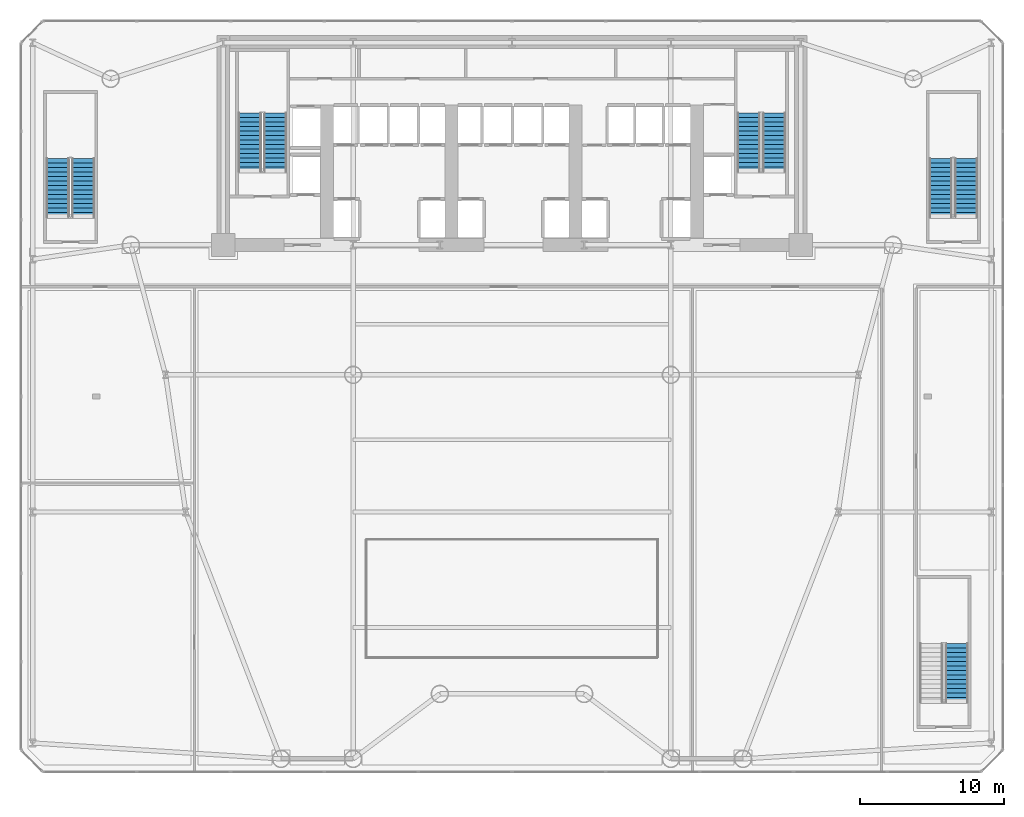
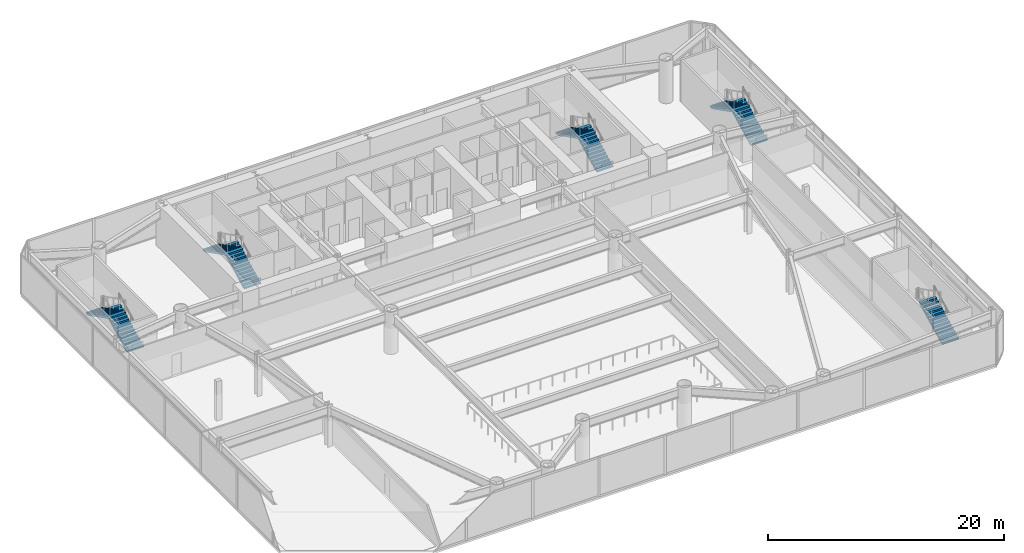
# One storey, part 17 of 24: 9 stair flights, 5 elements without a shape of their own.
"""IFC4 building model written with IfcOpenShell, lengths in metres."""

from ifc_helpers import new_model, si_unit, direction, frame, origin, place, context, subcontext, project, spatial, polyline, outline, extrude, material, type_object, element, aggregate, save


model = new_model("IFC4")

# Units and contexts
model_context = context("Model", 3, precision=1e-05, world=origin(), true_north=direction((0.0, 1.0)))
body_context = subcontext(model_context, "Body", "Model", "MODEL_VIEW")
ifc_project = project(units=[si_unit("LENGTHUNIT", "METRE"), si_unit("AREAUNIT", "SQUARE_METRE"), si_unit("VOLUMEUNIT", "CUBIC_METRE"), si_unit("PLANEANGLEUNIT", "RADIAN"), si_unit("MASSUNIT", "GRAM", prefix="KILO")], contexts=[model_context])

# Site, building, storey
site_placement = place(None, origin())
site = spatial("IfcSite", under=ifc_project, at=site_placement, CompositionType="ELEMENT")
building_placement = place(site_placement, origin())
building = spatial("IfcBuilding", under=site, at=building_placement, Name="Vaeldorn Concourse Tower", CompositionType="ELEMENT")
storey_placement = place(building_placement, frame((0.0, 0.0, 5.60009765625)))
storey = spatial("IfcBuildingStorey", under=building, at=storey_placement, Name="L01", CompositionType="ELEMENT", Elevation=5.60009765625)

# Stair, stair flights
ifc_material = material(Name="Precast concrete C40/50", Category="concrete")
stair_type = type_object("IfcStairType", Name="STR-DOG-28x157", PredefinedType="HALF_TURN_STAIR", material=ifc_material)
stair_1_placement = place(storey_placement, origin())
stair_1 = element("IfcStair", 1, at=stair_1_placement, inside=storey, type_object=stair_type, Name="L01 West Core Exit Stair ST-1", PredefinedType="HALF_TURN_STAIR")
stair_flight_type = type_object("IfcStairFlightType", Name="STF-STR-14x157", PredefinedType="STRAIGHT", material=ifc_material)
stair_flight_1_placement = place(storey_placement, frame((17.60009765625, 41.60009765625, 0.0), z_axis=(0.0, 0.0, 1.0), x_axis=(0.0, 1.0, 0.0)))
stair_flight_1 = element("IfcStairFlight", 2, at=stair_flight_1_placement, type_object=stair_flight_type, Name="ST-1 flight 1", NumberOfRisers=14, NumberOfTreads=13, PredefinedType="STRAIGHT", RiserHeight=0.157142857, TreadLength=0.31, context=body_context, shape_type="SweptSolid", body=[
    extrude(outline(polyline([(0.0, 0.0), (0.0, 0.1572265625), (0.31005859375, 0.1572265625), (0.31005859375, 0.314208984375), (0.6201171875, 0.314208984375), (0.6201171875, 0.471435546875), (0.929931640625, 0.471435546875), (0.929931640625, 0.628662109375), (1.239990234375, 0.628662109375), (1.239990234375, 0.78564453125), (1.550048828125, 0.78564453125), (1.550048828125, 0.94287109375), (1.860107421875, 0.94287109375), (1.860107421875, 1.10009765625), (2.169921875, 1.10009765625), (2.169921875, 1.257080078125), (2.47998046875, 1.257080078125), (2.47998046875, 1.414306640625), (2.7900390625, 1.414306640625), (2.7900390625, 1.571533203125), (3.10009765625, 1.571533203125), (3.10009765625, 1.728515625), (3.409912109375, 1.728515625), (3.409912109375, 1.8857421875), (3.719970703125, 1.8857421875), (3.719970703125, 2.04296875), (4.030029296875, 2.04296875), (4.030029296875, 2.199951171875), (4.030029296875, 1.874755859375), (0.33154296875, 0.0), (0.0, 0.0)])), frame((0.0, 0.800048828125, 0.0), z_axis=(0.0, -1.0, 0.0), x_axis=(1.0, 0.0, 0.0)), (0.0, 0.0, 1.0), 1.60009765625),
])
stair_flight_2_placement = place(storey_placement, frame((15.85009765625, 45.6298828125, 2.199951171875), z_axis=(0.0, 0.0, 1.0), x_axis=(0.0, -1.0, 0.0)))
stair_flight_2 = element("IfcStairFlight", 3, at=stair_flight_2_placement, type_object=stair_flight_type, Name="ST-1 flight 2", NumberOfRisers=14, NumberOfTreads=13, PredefinedType="STRAIGHT", RiserHeight=0.157142857, TreadLength=0.31, context=body_context, shape_type="SweptSolid", body=[
    extrude(outline(polyline([(0.0, 0.0), (0.0, 0.1572265625), (0.31005859375, 0.1572265625), (0.31005859375, 0.314208984375), (0.6201171875, 0.314208984375), (0.6201171875, 0.471435546875), (0.929931640625, 0.471435546875), (0.929931640625, 0.628662109375), (1.239990234375, 0.628662109375), (1.239990234375, 0.78564453125), (1.550048828125, 0.78564453125), (1.550048828125, 0.94287109375), (1.860107421875, 0.94287109375), (1.860107421875, 1.10009765625), (2.169921875, 1.10009765625), (2.169921875, 1.257080078125), (2.47998046875, 1.257080078125), (2.47998046875, 1.414306640625), (2.7900390625, 1.414306640625), (2.7900390625, 1.571533203125), (3.10009765625, 1.571533203125), (3.10009765625, 1.728515625), (3.409912109375, 1.728515625), (3.409912109375, 1.8857421875), (3.719970703125, 1.8857421875), (3.719970703125, 2.04296875), (4.030029296875, 2.04296875), (4.030029296875, 2.199951171875), (4.030029296875, 1.874755859375), (0.33154296875, 0.0), (0.0, 0.0)])), frame((0.0, 0.800048828125, 0.0), z_axis=(0.0, -1.0, 0.0), x_axis=(1.0, 0.0, 0.0)), (0.0, 0.0, 1.0), 1.60009765625),
])
aggregate(stair_1, [stair_flight_1, stair_flight_2])

stair_2_placement = place(storey_placement, origin())
stair_2 = element("IfcStair", 4, at=stair_2_placement, inside=storey, type_object=stair_type, Name="L01 East Core Exit Stair ST-2", PredefinedType="HALF_TURN_STAIR")
stair_flight_3_placement = place(storey_placement, frame((52.14990234375, 41.60009765625, 0.0), z_axis=(0.0, 0.0, 1.0), x_axis=(0.0, 1.0, 0.0)))
stair_flight_3 = element("IfcStairFlight", 5, at=stair_flight_3_placement, type_object=stair_flight_type, Name="ST-2 flight 1", NumberOfRisers=14, NumberOfTreads=13, PredefinedType="STRAIGHT", RiserHeight=0.157142857, TreadLength=0.31, context=body_context, shape_type="SweptSolid", body=[
    extrude(outline(polyline([(0.0, 0.0), (0.0, 0.1572265625), (0.31005859375, 0.1572265625), (0.31005859375, 0.314208984375), (0.6201171875, 0.314208984375), (0.6201171875, 0.471435546875), (0.929931640625, 0.471435546875), (0.929931640625, 0.628662109375), (1.239990234375, 0.628662109375), (1.239990234375, 0.78564453125), (1.550048828125, 0.78564453125), (1.550048828125, 0.94287109375), (1.860107421875, 0.94287109375), (1.860107421875, 1.10009765625), (2.169921875, 1.10009765625), (2.169921875, 1.257080078125), (2.47998046875, 1.257080078125), (2.47998046875, 1.414306640625), (2.7900390625, 1.414306640625), (2.7900390625, 1.571533203125), (3.10009765625, 1.571533203125), (3.10009765625, 1.728515625), (3.409912109375, 1.728515625), (3.409912109375, 1.8857421875), (3.719970703125, 1.8857421875), (3.719970703125, 2.04296875), (4.030029296875, 2.04296875), (4.030029296875, 2.199951171875), (4.030029296875, 1.874755859375), (0.33154296875, 0.0), (0.0, 0.0)])), frame((0.0, 0.800048828125, 0.0), z_axis=(0.0, -1.0, 0.0), x_axis=(1.0, 0.0, 0.0)), (0.0, 0.0, 1.0), 1.60009765625),
])
stair_flight_4_placement = place(storey_placement, frame((50.39990234375, 45.6298828125, 2.199951171875), z_axis=(0.0, 0.0, 1.0), x_axis=(0.0, -1.0, 0.0)))
stair_flight_4 = element("IfcStairFlight", 6, at=stair_flight_4_placement, type_object=stair_flight_type, Name="ST-2 flight 2", NumberOfRisers=14, NumberOfTreads=13, PredefinedType="STRAIGHT", RiserHeight=0.157142857, TreadLength=0.31, context=body_context, shape_type="SweptSolid", body=[
    extrude(outline(polyline([(0.0, 0.0), (0.0, 0.1572265625), (0.31005859375, 0.1572265625), (0.31005859375, 0.314208984375), (0.6201171875, 0.314208984375), (0.6201171875, 0.471435546875), (0.929931640625, 0.471435546875), (0.929931640625, 0.628662109375), (1.239990234375, 0.628662109375), (1.239990234375, 0.78564453125), (1.550048828125, 0.78564453125), (1.550048828125, 0.94287109375), (1.860107421875, 0.94287109375), (1.860107421875, 1.10009765625), (2.169921875, 1.10009765625), (2.169921875, 1.257080078125), (2.47998046875, 1.257080078125), (2.47998046875, 1.414306640625), (2.7900390625, 1.414306640625), (2.7900390625, 1.571533203125), (3.10009765625, 1.571533203125), (3.10009765625, 1.728515625), (3.409912109375, 1.728515625), (3.409912109375, 1.8857421875), (3.719970703125, 1.8857421875), (3.719970703125, 2.04296875), (4.030029296875, 2.04296875), (4.030029296875, 2.199951171875), (4.030029296875, 1.874755859375), (0.33154296875, 0.0), (0.0, 0.0)])), frame((0.0, 0.800048828125, 0.0), z_axis=(0.0, -1.0, 0.0), x_axis=(1.0, 0.0, 0.0)), (0.0, 0.0, 1.0), 1.60009765625),
])
aggregate(stair_2, [stair_flight_3, stair_flight_4])

stair_3_placement = place(storey_placement, origin())
stair_3 = element("IfcStair", 7, at=stair_3_placement, inside=storey, type_object=stair_type, Name="L01 Station West Exit Stair ST-3", PredefinedType="HALF_TURN_STAIR")
stair_flight_5_placement = place(storey_placement, frame((4.300048828125, 38.449951171875, 0.0), z_axis=(0.0, 0.0, 1.0), x_axis=(0.0, 1.0, 0.0)))
stair_flight_5 = element("IfcStairFlight", 8, at=stair_flight_5_placement, type_object=stair_flight_type, Name="ST-3 flight 1", NumberOfRisers=14, NumberOfTreads=13, PredefinedType="STRAIGHT", RiserHeight=0.157142857, TreadLength=0.31, context=body_context, shape_type="SweptSolid", body=[
    extrude(outline(polyline([(0.0, 0.0), (0.0, 0.1572265625), (0.31005859375, 0.1572265625), (0.31005859375, 0.314208984375), (0.6201171875, 0.314208984375), (0.6201171875, 0.471435546875), (0.929931640625, 0.471435546875), (0.929931640625, 0.628662109375), (1.239990234375, 0.628662109375), (1.239990234375, 0.78564453125), (1.550048828125, 0.78564453125), (1.550048828125, 0.94287109375), (1.860107421875, 0.94287109375), (1.860107421875, 1.10009765625), (2.169921875, 1.10009765625), (2.169921875, 1.257080078125), (2.47998046875, 1.257080078125), (2.47998046875, 1.414306640625), (2.7900390625, 1.414306640625), (2.7900390625, 1.571533203125), (3.10009765625, 1.571533203125), (3.10009765625, 1.728515625), (3.409912109375, 1.728515625), (3.409912109375, 1.8857421875), (3.719970703125, 1.8857421875), (3.719970703125, 2.04296875), (4.030029296875, 2.04296875), (4.030029296875, 2.199951171875), (4.030029296875, 1.874755859375), (0.33154296875, 0.0), (0.0, 0.0)])), frame((0.0, 0.800048828125, 0.0), z_axis=(0.0, -1.0, 0.0), x_axis=(1.0, 0.0, 0.0)), (0.0, 0.0, 1.0), 1.60009765625),
])
stair_flight_6_placement = place(storey_placement, frame((2.550048828125, 42.47998046875, 2.199951171875), z_axis=(0.0, 0.0, 1.0), x_axis=(0.0, -1.0, 0.0)))
stair_flight_6 = element("IfcStairFlight", 9, at=stair_flight_6_placement, type_object=stair_flight_type, Name="ST-3 flight 2", NumberOfRisers=14, NumberOfTreads=13, PredefinedType="STRAIGHT", RiserHeight=0.157142857, TreadLength=0.31, context=body_context, shape_type="SweptSolid", body=[
    extrude(outline(polyline([(0.0, 0.0), (0.0, 0.1572265625), (0.31005859375, 0.1572265625), (0.31005859375, 0.314208984375), (0.6201171875, 0.314208984375), (0.6201171875, 0.471435546875), (0.929931640625, 0.471435546875), (0.929931640625, 0.628662109375), (1.239990234375, 0.628662109375), (1.239990234375, 0.78564453125), (1.550048828125, 0.78564453125), (1.550048828125, 0.94287109375), (1.860107421875, 0.94287109375), (1.860107421875, 1.10009765625), (2.169921875, 1.10009765625), (2.169921875, 1.257080078125), (2.47998046875, 1.257080078125), (2.47998046875, 1.414306640625), (2.7900390625, 1.414306640625), (2.7900390625, 1.571533203125), (3.10009765625, 1.571533203125), (3.10009765625, 1.728515625), (3.409912109375, 1.728515625), (3.409912109375, 1.8857421875), (3.719970703125, 1.8857421875), (3.719970703125, 2.04296875), (4.030029296875, 2.04296875), (4.030029296875, 2.199951171875), (4.030029296875, 1.874755859375), (0.33154296875, 0.0), (0.0, 0.0)])), frame((0.0, 0.800048828125, 0.0), z_axis=(0.0, -1.0, 0.0), x_axis=(1.0, 0.0, 0.0)), (0.0, 0.0, 1.0), 1.60009765625),
])
aggregate(stair_3, [stair_flight_5, stair_flight_6])

stair_4_placement = place(storey_placement, origin())
stair_4 = element("IfcStair", 10, at=stair_4_placement, inside=storey, type_object=stair_type, Name="L01 Station East Exit Stair ST-4", PredefinedType="HALF_TURN_STAIR")
stair_flight_7_placement = place(storey_placement, frame((65.449951171875, 38.449951171875, 0.0), z_axis=(0.0, 0.0, 1.0), x_axis=(0.0, 1.0, 0.0)))
stair_flight_7 = element("IfcStairFlight", 11, at=stair_flight_7_placement, type_object=stair_flight_type, Name="ST-4 flight 1", NumberOfRisers=14, NumberOfTreads=13, PredefinedType="STRAIGHT", RiserHeight=0.157142857, TreadLength=0.31, context=body_context, shape_type="SweptSolid", body=[
    extrude(outline(polyline([(0.0, 0.0), (0.0, 0.1572265625), (0.31005859375, 0.1572265625), (0.31005859375, 0.314208984375), (0.6201171875, 0.314208984375), (0.6201171875, 0.471435546875), (0.929931640625, 0.471435546875), (0.929931640625, 0.628662109375), (1.239990234375, 0.628662109375), (1.239990234375, 0.78564453125), (1.550048828125, 0.78564453125), (1.550048828125, 0.94287109375), (1.860107421875, 0.94287109375), (1.860107421875, 1.10009765625), (2.169921875, 1.10009765625), (2.169921875, 1.257080078125), (2.47998046875, 1.257080078125), (2.47998046875, 1.414306640625), (2.7900390625, 1.414306640625), (2.7900390625, 1.571533203125), (3.10009765625, 1.571533203125), (3.10009765625, 1.728515625), (3.409912109375, 1.728515625), (3.409912109375, 1.8857421875), (3.719970703125, 1.8857421875), (3.719970703125, 2.04296875), (4.030029296875, 2.04296875), (4.030029296875, 2.199951171875), (4.030029296875, 1.874755859375), (0.33154296875, 0.0), (0.0, 0.0)])), frame((0.0, 0.800048828125, 0.0), z_axis=(0.0, -1.0, 0.0), x_axis=(1.0, 0.0, 0.0)), (0.0, 0.0, 1.0), 1.60009765625),
])
stair_flight_8_placement = place(storey_placement, frame((63.699951171875, 42.47998046875, 2.199951171875), z_axis=(0.0, 0.0, 1.0), x_axis=(0.0, -1.0, 0.0)))
stair_flight_8 = element("IfcStairFlight", 12, at=stair_flight_8_placement, type_object=stair_flight_type, Name="ST-4 flight 2", NumberOfRisers=14, NumberOfTreads=13, PredefinedType="STRAIGHT", RiserHeight=0.157142857, TreadLength=0.31, context=body_context, shape_type="SweptSolid", body=[
    extrude(outline(polyline([(0.0, 0.0), (0.0, 0.1572265625), (0.31005859375, 0.1572265625), (0.31005859375, 0.314208984375), (0.6201171875, 0.314208984375), (0.6201171875, 0.471435546875), (0.929931640625, 0.471435546875), (0.929931640625, 0.628662109375), (1.239990234375, 0.628662109375), (1.239990234375, 0.78564453125), (1.550048828125, 0.78564453125), (1.550048828125, 0.94287109375), (1.860107421875, 0.94287109375), (1.860107421875, 1.10009765625), (2.169921875, 1.10009765625), (2.169921875, 1.257080078125), (2.47998046875, 1.257080078125), (2.47998046875, 1.414306640625), (2.7900390625, 1.414306640625), (2.7900390625, 1.571533203125), (3.10009765625, 1.571533203125), (3.10009765625, 1.728515625), (3.409912109375, 1.728515625), (3.409912109375, 1.8857421875), (3.719970703125, 1.8857421875), (3.719970703125, 2.04296875), (4.030029296875, 2.04296875), (4.030029296875, 2.199951171875), (4.030029296875, 1.874755859375), (0.33154296875, 0.0), (0.0, 0.0)])), frame((0.0, 0.800048828125, 0.0), z_axis=(0.0, -1.0, 0.0), x_axis=(1.0, 0.0, 0.0)), (0.0, 0.0, 1.0), 1.60009765625),
])
aggregate(stair_4, [stair_flight_7, stair_flight_8])

# Stair, stair flight
stair_5_placement = place(storey_placement, origin())
stair_5 = element("IfcStair", 13, at=stair_5_placement, inside=storey, type_object=stair_type, Name="L01 Podium Auditorium Exit Stair ST-5", PredefinedType="HALF_TURN_STAIR")
stair_flight_9_placement = place(storey_placement, frame((64.800048828125, 4.85009765625, 0.0), z_axis=(0.0, 0.0, 1.0), x_axis=(0.0, 1.0, 0.0)))
stair_flight_9 = element("IfcStairFlight", 14, at=stair_flight_9_placement, type_object=stair_flight_type, Name="ST-5 flight 1", NumberOfRisers=14, NumberOfTreads=13, PredefinedType="STRAIGHT", RiserHeight=0.157142857, TreadLength=0.31, context=body_context, shape_type="SweptSolid", body=[
    extrude(outline(polyline([(0.0, 0.0), (0.0, 0.1572265625), (0.31005859375, 0.1572265625), (0.31005859375, 0.314208984375), (0.6201171875, 0.314208984375), (0.6201171875, 0.471435546875), (0.929931640625, 0.471435546875), (0.929931640625, 0.628662109375), (1.239990234375, 0.628662109375), (1.239990234375, 0.78564453125), (1.550048828125, 0.78564453125), (1.550048828125, 0.94287109375), (1.860107421875, 0.94287109375), (1.860107421875, 1.10009765625), (2.169921875, 1.10009765625), (2.169921875, 1.257080078125), (2.47998046875, 1.257080078125), (2.47998046875, 1.414306640625), (2.7900390625, 1.414306640625), (2.7900390625, 1.571533203125), (3.10009765625, 1.571533203125), (3.10009765625, 1.728515625), (3.409912109375, 1.728515625), (3.409912109375, 1.8857421875), (3.719970703125, 1.8857421875), (3.719970703125, 2.04296875), (4.030029296875, 2.04296875), (4.030029296875, 2.199951171875), (4.030029296875, 1.874755859375), (0.33154296875, 0.0), (0.0, 0.0)])), frame((0.0, 0.800048828125, 0.0), z_axis=(0.0, -1.0, 0.0), x_axis=(1.0, 0.0, 0.0)), (0.0, 0.0, 1.0), 1.60009765625),
])
aggregate(stair_5, [stair_flight_9])

save(model, "model.ifc")
